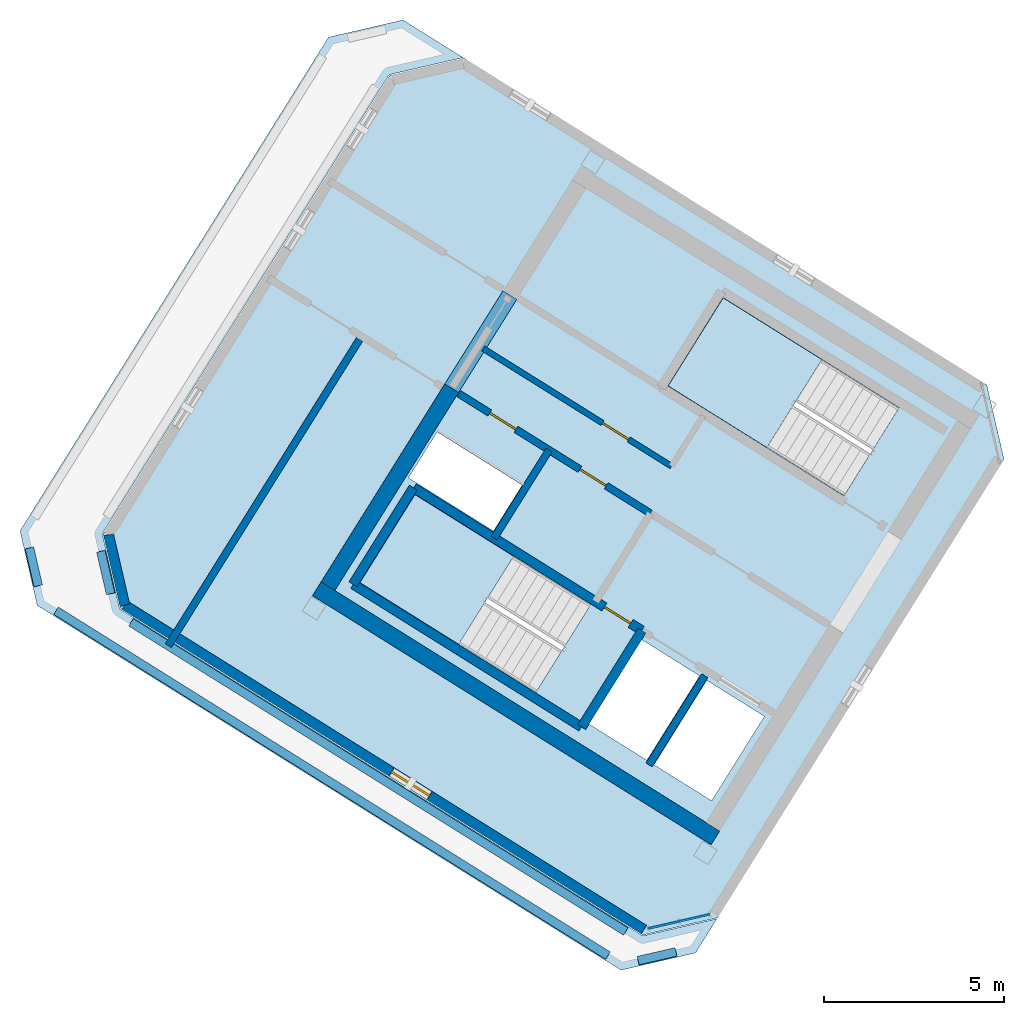
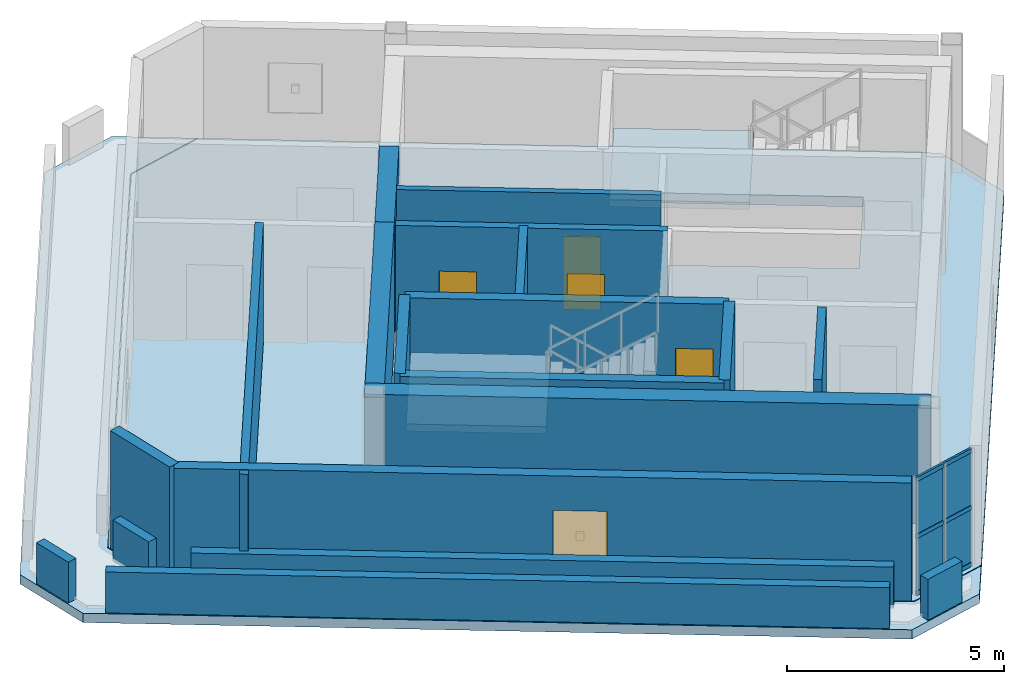
# One storey, part 3 of 7: 18 walls, 6 members, 4 doors, 4 plates, 4 slabs, 1 beam, 1 window, 5 openings, 3 elements without a shape of their own.
"""IFC4 building model written with IfcOpenShell, lengths in metres."""

from ifc_helpers import new_model, si_unit, direction, frame, frame_2d, origin, origin_2d, place, context, subcontext, project, spatial, polyline, rectangle, hollow_rectangle, outline, extrude, source, transform, mapped, material, layer, layer_set, material_profile, profile_set, type_object, element, fill, aggregate, save


model = new_model("IFC4")

# Units and contexts
model_context = context("Model", 3, precision=1e-05, world=origin(), true_north=direction((0.0, 1.0)))
body_context = subcontext(model_context, "Body", "Model", "MODEL_VIEW")
ifc_project = project(units=[si_unit("LENGTHUNIT", "METRE"), si_unit("AREAUNIT", "SQUARE_METRE"), si_unit("VOLUMEUNIT", "CUBIC_METRE"), si_unit("PLANEANGLEUNIT", "RADIAN"), si_unit("MASSUNIT", "GRAM", prefix="KILO")], contexts=[model_context])

# Site, building, storey
site_placement = place(None, origin())
site = spatial("IfcSite", under=ifc_project, at=site_placement, CompositionType="ELEMENT")
building_placement = place(site_placement, origin())
building = spatial("IfcBuilding", under=site, at=building_placement, Name="Tlacorven Tower", CompositionType="ELEMENT")
storey_placement = place(building_placement, frame((0.0, 0.0, 309.60009765625)))
storey = spatial("IfcBuildingStorey", under=building, at=storey_placement, Name="L79", CompositionType="ELEMENT", Elevation=309.60009765625)

# Beam
ifc_material_1 = material(Name="Concrete C60/75", Category="concrete")
ifc_material_profile_1 = material_profile(ifc_material_1, rectangle(XDim=0.449951171875, YDim=0.699951171875, at=origin_2d()), Name="RC 450X700")
ifc_profile_set_1 = profile_set([ifc_material_profile_1], Name="Concrete C60/75")
beam_type = type_object("IfcBeamType", Name="BM-LNT-700", PredefinedType="LINTEL", material=ifc_profile_set_1)
shared_shape_1 = source(origin(), body_context, "Body", "SweptSolid", [
    extrude(rectangle(XDim=0.449951171875, YDim=0.699951171875, at=origin_2d()), origin(), (0.0, 0.0, 1.0), 3.0498046875),
])
beam_placement = place(storey_placement, frame((27.622802734375, 27.562255859375, 2.969970703125), z_axis=(-0.529926983584, -0.848043272522, 0.0), x_axis=(0.848043272522, -0.529926983584, 0.0)))
element("IfcBeam", 1, at=beam_placement, inside=storey, type_object=beam_type, Name="L79 W core coupling lintel beam E2", PredefinedType="LINTEL", context=body_context, shape_type="MappedRepresentation", body=[
    mapped(shared_shape_1, transform((0.0, 0.0, 0.0), scale=1.0)),
])

# Curtain wall, members
ifc_material_2 = material(Name="Dark solar low-E double glazing in aluminium frame", Category="aluminium")
curtain_wall_type = type_object("IfcCurtainWallType", Name="CW-CRN-LANTERN", PredefinedType="USERDEFINED", material=ifc_material_2)
curtain_wall_placement = place(storey_placement, origin())
curtain_wall = element("IfcCurtainWall", 2, at=curtain_wall_placement, inside=storey, type_object=curtain_wall_type, Name="L79 CW-CRN-LANTERN Curtain Wall 363", ObjectType="UNITISED CURTAIN WALL", PredefinedType="USERDEFINED")
ifc_material_3 = material(Name="Aluminium 6063-T6 anodised", Category="aluminium")
ifc_material_profile_2 = material_profile(ifc_material_3, hollow_rectangle(XDim=0.054931640625, YDim=0.1201171875, WallThickness=0.00341796875, at=origin_2d()), Name="ALU TRANSOM 55X120")
ifc_profile_set_2 = profile_set([ifc_material_profile_2], Name="Aluminium 6063-T6 anodised")
member_type = type_object("IfcMemberType", Name="CWT-03", PredefinedType="USERDEFINED", material=ifc_profile_set_2)
shared_shape_2 = source(origin(), body_context, "Body", "SweptSolid", [
    extrude(hollow_rectangle(XDim=0.054931640625, YDim=0.1201171875, WallThickness=0.00341796875, at=origin_2d()), origin(), (0.0, 0.0, 1.0), 0.84423828125),
])
member_1_placement = place(storey_placement, frame((33.155029296875, 10.376220703125, 0.059814453125), z_axis=(-0.974357063896, -0.225007359962, 0.0), x_axis=(0.225007359962, -0.974357063896, 0.0)))
member_1 = element("IfcMember", 3, at=member_1_placement, type_object=member_type, Name="CW-L79-363 Transom 1", ObjectType="TRANSOM", PredefinedType="USERDEFINED", context=body_context, shape_type="MappedRepresentation", body=[
    mapped(shared_shape_2, transform((0.0, 0.0, 0.0), scale=1.0)),
])
member_2_placement = place(storey_placement, frame((33.155029296875, 10.376220703125, 1.659912109375), z_axis=(-0.974357063896, -0.225007359962, 0.0), x_axis=(0.225007359962, -0.974357063896, 0.0)))
member_2 = element("IfcMember", 4, at=member_2_placement, type_object=member_type, Name="CW-L79-363 Transom 2", ObjectType="TRANSOM", PredefinedType="USERDEFINED", context=body_context, shape_type="MappedRepresentation", body=[
    mapped(shared_shape_2, transform((0.0, 0.0, 0.0), scale=1.0)),
])
member_3_placement = place(storey_placement, frame((33.155029296875, 10.376220703125, 3.260009765625), z_axis=(-0.974357063896, -0.225007359962, 0.0), x_axis=(0.225007359962, -0.974357063896, 0.0)))
member_3 = element("IfcMember", 5, at=member_3_placement, type_object=member_type, Name="CW-L79-363 Transom 3", ObjectType="TRANSOM", PredefinedType="USERDEFINED", context=body_context, shape_type="MappedRepresentation", body=[
    mapped(shared_shape_2, transform((0.0, 0.0, 0.0), scale=1.0)),
])
member_4_placement = place(storey_placement, frame((32.30224609375, 10.17919921875, 0.059814453125), z_axis=(-0.974357063896, -0.225007359962, 0.0), x_axis=(0.225007359962, -0.974357063896, 0.0)))
member_4 = element("IfcMember", 6, at=member_4_placement, type_object=member_type, Name="CW-L79-363 Transom 4", ObjectType="TRANSOM", PredefinedType="USERDEFINED", context=body_context, shape_type="MappedRepresentation", body=[
    mapped(shared_shape_2, transform((0.0, 0.0, 0.0), scale=1.0)),
])
member_5_placement = place(storey_placement, frame((32.30224609375, 10.17919921875, 1.659912109375), z_axis=(-0.974357063896, -0.225007359962, 0.0), x_axis=(0.225007359962, -0.974357063896, 0.0)))
member_5 = element("IfcMember", 7, at=member_5_placement, type_object=member_type, Name="CW-L79-363 Transom 5", ObjectType="TRANSOM", PredefinedType="USERDEFINED", context=body_context, shape_type="MappedRepresentation", body=[
    mapped(shared_shape_2, transform((0.0, 0.0, 0.0), scale=1.0)),
])
member_6_placement = place(storey_placement, frame((32.30224609375, 10.17919921875, 3.260009765625), z_axis=(-0.974357063896, -0.225007359962, 0.0), x_axis=(0.225007359962, -0.974357063896, 0.0)))
member_6 = element("IfcMember", 8, at=member_6_placement, type_object=member_type, Name="CW-L79-363 Transom 6", ObjectType="TRANSOM", PredefinedType="USERDEFINED", context=body_context, shape_type="MappedRepresentation", body=[
    mapped(shared_shape_2, transform((0.0, 0.0, 0.0), scale=1.0)),
])

# Stair, slab
ifc_material_4 = material(Name="Concrete C40/50", Category="concrete")
stair_type = type_object("IfcStairType", Name="ST-CORE-DLG", PredefinedType="HALF_TURN_STAIR", material=ifc_material_4)
stair_1_placement = place(storey_placement, origin())
stair_1 = element("IfcStair", 9, at=stair_1_placement, inside=storey, type_object=stair_type, Name="L79 Protected Exit Stair West 1", PredefinedType="HALF_TURN_STAIR")
ifc_layer_1 = layer(ifc_material_4, 0.199951171875)
ifc_layer_set_1 = layer_set([ifc_layer_1], Name="Concrete C40/50")
slab_type_1 = type_object("IfcSlabType", Name="SL-LND-200", PredefinedType="LANDING", material=ifc_layer_set_1)
slab_1_placement = place(storey_placement, frame((0.0, 0.0, 1.599853515625)))
slab_1 = element("IfcSlab", 10, at=slab_1_placement, type_object=slab_type_1, Name="ST-W1 landing 1", PredefinedType="LANDING", context=body_context, shape_type="SweptSolid", body=[
    extrude(outline(polyline([(27.728515625, 20.315185546875), (24.9892578125, 22.02685546875), (23.463134765625, 19.58447265625), (26.2021484375, 17.872802734375), (27.728515625, 20.315185546875)])), origin(), (0.0, 0.0, 1.0), 0.199951171875),
])
aggregate(stair_1, [slab_1])

stair_2_placement = place(storey_placement, origin())
stair_2 = element("IfcStair", 11, at=stair_2_placement, inside=storey, type_object=stair_type, Name="L79 Protected Exit Stair West 2", PredefinedType="HALF_TURN_STAIR")
slab_2_placement = place(storey_placement, frame((0.0, 0.0, 1.599853515625)))
slab_2 = element("IfcSlab", 12, at=slab_2_placement, type_object=slab_type_1, Name="ST-W2 landing 1", PredefinedType="LANDING", context=body_context, shape_type="SweptSolid", body=[
    extrude(outline(polyline([(36.280029296875, 25.772705078125), (33.540771484375, 27.484375), (32.0146484375, 25.0419921875), (34.75390625, 23.33056640625), (36.280029296875, 25.772705078125)])), origin(), (0.0, 0.0, 1.0), 0.199951171875),
])
aggregate(stair_2, [slab_2])

# Slabs
ifc_layer_2 = layer(ifc_material_4, 0.260009765625)
ifc_layer_set_2 = layer_set([ifc_layer_2], Name="Concrete C40/50")
slab_type_2 = type_object("IfcSlabType", Name="SL-ROF-260", PredefinedType="ROOF", material=ifc_layer_set_2)
slab_3_placement = place(storey_placement, frame((0.0, 0.0, -0.260009765625)))
element("IfcSlab", 13, at=slab_3_placement, inside=storey, type_object=slab_type_2, Name="L79 Stepped Crown Terrace Roof Cap 1", PredefinedType="ROOF", context=body_context, shape_type="SweptSolid", body=[
    extrude(outline(polyline([(32.77294921875, 9.3095703125), (30.7060546875, 8.83251953125), (14.50830078125, 18.953857421875), (14.031005859375, 21.02099609375), (22.58935546875, 34.716796875), (24.65625, 35.194091796875), (26.328369140625, 34.149169921875), (24.28076171875, 33.676513671875), (24.279052734375, 33.676025390625), (24.277099609375, 33.67529296875), (24.275390625, 33.67431640625), (24.273681640625, 33.67333984375), (24.272216796875, 33.672119140625), (24.270751953125, 33.670654296875), (24.26953125, 33.669189453125), (24.268310546875, 33.667724609375), (16.319580078125, 20.947021484375), (16.318603515625, 20.945068359375), (16.31787109375, 20.943359375), (16.317138671875, 20.94140625), (16.31689453125, 20.939697265625), (16.316650390625, 20.937744140625), (16.316650390625, 20.935791015625), (16.316650390625, 20.933837890625), (16.317138671875, 20.931884765625), (16.794189453125, 18.86474609375), (16.794921875, 18.863037109375), (16.79541015625, 18.861083984375), (16.79638671875, 18.859375), (16.79736328125, 18.857666015625), (16.798583984375, 18.856201171875), (16.800048828125, 18.854736328125), (16.801513671875, 18.853515625), (16.80322265625, 18.852294921875), (31.3046875, 9.790771484375), (31.306396484375, 9.789794921875), (31.308349609375, 9.7890625), (31.31005859375, 9.788330078125), (31.31201171875, 9.7880859375), (31.31396484375, 9.787841796875), (31.31591796875, 9.787841796875), (31.31787109375, 9.787841796875), (31.31982421875, 9.788330078125), (33.367431640625, 10.260986328125), (32.77294921875, 9.3095703125)])), origin(), (0.0, 0.0, 1.0), 0.260009765625),
])
ifc_material_5 = material(Name="Concrete C50/60", Category="concrete")
ifc_layer_3 = layer(ifc_material_5, 0.280029296875)
ifc_layer_set_3 = layer_set([ifc_layer_3], Name="Concrete C50/60")
slab_type_3 = type_object("IfcSlabType", Name="SL-WND-280", PredefinedType="FLOOR", material=ifc_layer_set_3)
slab_4_placement = place(storey_placement, frame((0.0, 0.0, -0.280029296875)))
element("IfcSlab", 14, at=slab_4_placement, inside=storey, type_object=slab_type_3, Name="L79 Stepped Crown Tier 4 Floor Slab", PredefinedType="FLOOR", context=body_context, shape_type="SweptSolid", body=[
    extrude(outline(polyline([(40.85400390625, 25.072509765625), (26.352294921875, 34.13427734375), (24.285400390625, 33.656982421875), (16.336669921875, 20.936279296875), (16.813720703125, 18.869384765625), (31.3154296875, 9.8076171875), (33.38232421875, 10.284912109375), (41.3310546875, 23.005615234375), (40.85400390625, 25.072509765625)]), holes=[polyline([(29.865478515625, 18.979736328125), (24.9892578125, 22.02685546875), (23.463134765625, 19.58447265625), (28.33935546875, 16.537353515625), (29.865478515625, 18.979736328125)]), polyline([(38.4169921875, 24.4375), (33.540771484375, 27.484375), (32.0146484375, 25.0419921875), (36.890869140625, 21.9951171875), (38.4169921875, 24.4375)]), polyline([(34.682373046875, 15.87548828125), (33.088134765625, 16.871826171875), (31.62548828125, 14.531005859375), (33.2197265625, 13.534912109375), (34.682373046875, 15.87548828125)]), polyline([(32.884521484375, 16.9990234375), (31.2392578125, 18.02685546875), (29.77685546875, 15.686279296875), (31.421875, 14.658203125), (32.884521484375, 16.9990234375)]), polyline([(27.96142578125, 22.2919921875), (25.603759765625, 23.76513671875), (24.80908203125, 22.4931640625), (27.16650390625, 21.02001953125), (27.96142578125, 22.2919921875)])]), origin(), (0.0, 0.0, 1.0), 0.280029296875),
])

# Plate
ifc_material_6 = material(Name="Crown dark solar fritted low-E glazing", Category="glass")
ifc_layer_4 = layer(ifc_material_6, 0.02392578125)
ifc_layer_set_4 = layer_set([ifc_layer_4], Name="Crown dark solar fritted low-E glazing")
plate_type = type_object("IfcPlateType", Name="CWP-04", PredefinedType="CURTAIN_PANEL", material=ifc_layer_set_4)
shared_shape_3 = source(origin(), body_context, "Body", "SweptSolid", [
    extrude(rectangle(XDim=0.838134765625, YDim=0.02392578125, at=origin_2d()), origin(), (0.0, 0.0, 1.0), 1.55810546875),
])
plate_1_placement = place(storey_placement, frame((32.74365234375, 10.28125, 0.05078125), z_axis=(0.0, 0.0, 1.0), x_axis=(-0.97437037555, -0.22494970827, 0.0)))
plate_1 = element("IfcPlate", 15, at=plate_1_placement, type_object=plate_type, Name="CW-L79-363 Glazing Panel 1", PredefinedType="CURTAIN_PANEL", context=body_context, shape_type="MappedRepresentation", body=[
    mapped(shared_shape_3, transform((0.0, 0.0, 0.0), scale=1.0)),
])

plate_2_placement = place(storey_placement, frame((32.74365234375, 10.28125, 1.7109375), z_axis=(0.0, 0.0, 1.0), x_axis=(-0.97437037555, -0.22494970827, 0.0)))
plate_2 = element("IfcPlate", 16, at=plate_2_placement, type_object=plate_type, Name="CW-L79-363 Glazing Panel 2", PredefinedType="CURTAIN_PANEL", context=body_context, shape_type="MappedRepresentation", body=[
    mapped(shared_shape_3, transform((0.0, 0.0, 0.0), scale=1.0)),
])

plate_3_placement = place(storey_placement, frame((31.890869140625, 10.084228515625, 0.05078125), z_axis=(0.0, 0.0, 1.0), x_axis=(-0.97437037555, -0.22494970827, 0.0)))
plate_3 = element("IfcPlate", 17, at=plate_3_placement, type_object=plate_type, Name="CW-L79-363 Glazing Panel 3", PredefinedType="CURTAIN_PANEL", context=body_context, shape_type="MappedRepresentation", body=[
    mapped(shared_shape_3, transform((0.0, 0.0, 0.0), scale=1.0)),
])

plate_4_placement = place(storey_placement, frame((31.890869140625, 10.084228515625, 1.7109375), z_axis=(0.0, 0.0, 1.0), x_axis=(-0.97437037555, -0.22494970827, 0.0)))
plate_4 = element("IfcPlate", 18, at=plate_4_placement, type_object=plate_type, Name="CW-L79-363 Glazing Panel 4", PredefinedType="CURTAIN_PANEL", context=body_context, shape_type="MappedRepresentation", body=[
    mapped(shared_shape_3, transform((0.0, 0.0, 0.0), scale=1.0)),
])

aggregate(curtain_wall, [member_1, member_2, member_3, plate_1, plate_2, member_4, member_5, member_6, plate_3, plate_4])

# Walls
ifc_layer_5 = layer(ifc_material_5, 0.449951171875)
ifc_layer_set_5 = layer_set([ifc_layer_5], Name="Concrete C50/60")
wall_type_1 = type_object("IfcWallType", Name="WL-COR-450", PredefinedType="SHEAR", material=ifc_layer_set_5)
wall_1_placement = place(storey_placement, frame((33.32373046875, 12.5029296875, 0.0), z_axis=(0.0, 0.0, 1.0), x_axis=(-0.848043529849, 0.529926571782, 0.0)))
element("IfcWall", 19, at=wall_1_placement, inside=storey, type_object=wall_type_1, Name="L79 W core shear wall S2", PredefinedType="SHEAR", context=body_context, shape_type="SweptSolid", body=[
    extrude(rectangle(XDim=13.039794921875, YDim=0.449951171875, at=frame_2d((6.52001953125, 0.0))), origin(), (0.0, 0.0, 1.0), 3.31982421875),
])
wall_2_placement = place(storey_placement, frame((26.006591796875, 24.975830078125, 0.0), z_axis=(0.0, 0.0, 1.0), x_axis=(-0.529931155655, -0.848040665456, 0.0)))
element("IfcWall", 20, at=wall_2_placement, inside=storey, type_object=wall_type_1, Name="L79 W core end wall E2.2", PredefinedType="SHEAR", context=body_context, shape_type="SweptSolid", body=[
    extrude(rectangle(XDim=6.47509765625, YDim=0.449951171875, at=frame_2d((3.237548828125, 0.0))), origin(), (0.0, 0.0, 1.0), 3.31982421875),
])

# Wall, opening, door
ifc_material_7 = material(Name="Gypsum plasterboard acoustic partition", Category="gypsum")
ifc_layer_6 = layer(ifc_material_7, 0.159912109375)
ifc_layer_set_6 = layer_set([ifc_layer_6], Name="Gypsum plasterboard acoustic partition")
wall_type_2 = type_object("IfcWallType", Name="WL-DEM-160", PredefinedType="PARTITIONING", material=ifc_layer_set_6)
wall_3_placement = place(storey_placement, frame((32.108154296875, 22.81396484375, 0.0), z_axis=(0.0, 0.0, 1.0), x_axis=(-0.848047283855, 0.529920564185, 0.0)))
wall_3 = element("IfcWall", 21, at=wall_3_placement, inside=storey, type_object=wall_type_2, Name="L79 partition 11", PredefinedType="PARTITIONING", context=body_context, shape_type="SweptSolid", body=[
    extrude(rectangle(XDim=6.16015625, YDim=0.159912109375, at=frame_2d((3.080078125, 0.0))), origin(), (0.0, 0.0, 1.0), 3.309814453125),
])
opening_1_placement = place(wall_3_placement, frame((1.39990234375, 0.0, 0.0)))
opening_1 = element("IfcOpeningElement", 22, at=opening_1_placement, cuts=wall_3, Name="Opening D19", PredefinedType="OPENING", context=body_context, shape_type="SweptSolid", body=[
    extrude(rectangle(XDim=0.860107421875, YDim=2.050048828125, at=frame_2d((0.43017578125, 1.02490234375))), frame((0.0, 0.08984375, 0.0), z_axis=(0.0, -1.0, 0.0), x_axis=(1.0, 0.0, 0.0)), (0.0, 0.0, 1.0), 0.179931640625),
])
ifc_material_8 = material(Name="Fire-rated steel door assembly", Category="steel")
door_type = type_object("IfcDoorType", Name="DR-RSR-FD60-0860", OperationType="NOTDEFINED", PredefinedType="DOOR", material=ifc_material_8)
shared_shape_4 = source(origin(), body_context, "Body", "SweptSolid", [
    extrude(rectangle(XDim=0.860107421875, YDim=2.050048828125, at=frame_2d((0.43017578125, 1.02490234375))), frame((0.0, 0.02490234375, 0.0), z_axis=(0.0, -1.0, 0.0), x_axis=(1.0, 0.0, 0.0)), (0.0, 0.0, 1.0), 0.050048828125),
])
door_1_placement = place(opening_1_placement, origin())
door_1 = element("IfcDoor", 23, at=door_1_placement, inside=storey, type_object=door_type, Name="L79 Freed Core Store Door", OperationType="SINGLE_SWING_RIGHT", OverallHeight=2.050048828125, OverallWidth=0.860107421875, PredefinedType="DOOR", context=body_context, shape_type="MappedRepresentation", body=[
    mapped(shared_shape_4, transform((0.0, 0.0, 0.0), scale=1.0)),
])
fill(opening_1, door_1)

# Wall, opening, window
ifc_material_9 = material(Name="Precast concrete C45/55", Category="concrete")
ifc_layer_7 = layer(ifc_material_9, 0.280029296875)
ifc_layer_set_7 = layer_set([ifc_layer_7], Name="Precast concrete C45/55")
wall_type_3 = type_object("IfcWallType", Name="WL-EXT-280", PredefinedType="STANDARD", material=ifc_layer_set_7)
wall_4_placement = place(storey_placement, frame((31.34033203125, 9.957275390625, 0.0), z_axis=(0.0, 0.0, 1.0), x_axis=(-0.848053214258, 0.52991107347, 0.0)))
wall_4 = element("IfcWall", 24, at=wall_4_placement, inside=storey, type_object=wall_type_3, Name="L79 Masonry-Frame Recessed Facade Wall 2", PredefinedType="STANDARD", context=body_context, shape_type="SweptSolid", body=[
    extrude(rectangle(XDim=16.98388671875, YDim=0.280029296875, at=frame_2d((8.491943359375, 0.0))), origin(), (0.0, 0.0, 1.0), 3.31982421875),
])
opening_2_placement = place(wall_4_placement, frame((7.008544921875, 0.0, 0.949951171875)))
opening_2 = element("IfcOpeningElement", 25, at=opening_2_placement, cuts=wall_4, Name="Opening WN20", PredefinedType="OPENING", context=body_context, shape_type="SweptSolid", body=[
    extrude(rectangle(XDim=1.25, YDim=1.39990234375, at=frame_2d((0.625, 0.699951171875))), frame((0.0, 0.14990234375, 0.0), z_axis=(0.0, -1.0, 0.0), x_axis=(1.0, 0.0, 0.0)), (0.0, 0.0, 1.0), 0.300048828125),
])
ifc_material_10 = material(Name="Dark solar low-E double glazing in anodised aluminium frame", Category="aluminium")
window_type = type_object("IfcWindowType", Name="WN-CRN-1250X1500", PartitioningType="SINGLE_PANEL", PredefinedType="WINDOW", material=ifc_material_10)
shared_shape_5 = source(origin(), body_context, "Body", "SweptSolid", [
    extrude(rectangle(XDim=1.25, YDim=1.39990234375, at=frame_2d((0.625, 0.699951171875))), frame((0.0, 0.030029296875, 0.0), z_axis=(0.0, -1.0, 0.0), x_axis=(1.0, 0.0, 0.0)), (0.0, 0.0, 1.0), 0.06005859375),
])
window_placement = place(opening_2_placement, origin())
window = element("IfcWindow", 26, at=window_placement, inside=storey, type_object=window_type, Name="L79 Acoustic Plant Facade Window 2.1", OverallHeight=1.39990234375, OverallWidth=1.25, PartitioningType="SINGLE_PANEL", PredefinedType="WINDOW", context=body_context, shape_type="MappedRepresentation", body=[
    mapped(shared_shape_5, transform((0.0, 0.0, 0.0), scale=1.0)),
])
fill(opening_2, window)

# Walls
wall_5_placement = place(storey_placement, frame((16.93701171875, 18.957275390625, 0.0), z_axis=(0.0, 0.0, 1.0), x_axis=(-0.224850615691, 0.974393247423, 0.0)))
element("IfcWall", 27, at=wall_5_placement, inside=storey, type_object=wall_type_3, Name="L79 Masonry-Frame Recessed Facade Wall 3", PredefinedType="STANDARD", context=body_context, shape_type="SweptSolid", body=[
    extrude(rectangle(XDim=2.00537109375, YDim=0.280029296875, at=frame_2d((1.002685546875, 0.0))), origin(), (0.0, 0.0, 1.0), 3.31982421875),
])
ifc_layer_8 = layer(ifc_material_9, 0.239990234375)
ifc_layer_set_8 = layer_set([ifc_layer_8], Name="Precast concrete C45/55")
wall_type_4 = type_object("IfcWallType", Name="WL-PAR-240", PredefinedType="PARAPET", material=ifc_layer_set_8)
wall_6_placement = place(storey_placement, frame((32.23046875, 9.33837890625, 0.0), z_axis=(0.0, 0.0, 1.0), x_axis=(-0.974395015602, -0.224842953123, 0.0)))
element("IfcWall", 28, at=wall_6_placement, inside=storey, type_object=wall_type_4, Name="L79 Stepped Crown Terrace Parapet 1 1", PredefinedType="PARAPET", context=body_context, shape_type="SweptSolid", body=[
    extrude(rectangle(XDim=1.0771484375, YDim=0.239990234375, at=frame_2d((0.53857421875, 0.0))), origin(), (0.0, 0.0, 1.0), 1.14990234375),
])
wall_7_placement = place(storey_placement, frame((30.3427734375, 9.236328125, 0.0), z_axis=(0.0, 0.0, 1.0), x_axis=(-0.848049195283, 0.529917505259, 0.0)))
element("IfcWall", 29, at=wall_7_placement, inside=storey, type_object=wall_type_4, Name="L79 Stepped Crown Terrace Parapet 1 2", PredefinedType="PARAPET", context=body_context, shape_type="SweptSolid", body=[
    extrude(rectangle(XDim=18.055908203125, YDim=0.239990234375, at=frame_2d((9.02783203125, 0.0))), origin(), (0.0, 0.0, 1.0), 1.14990234375),
])
wall_8_placement = place(storey_placement, frame((14.536865234375, 19.496337890625, 0.0), z_axis=(0.0, 0.0, 1.0), x_axis=(-0.224842953123, 0.974395015602, 0.0)))
element("IfcWall", 30, at=wall_8_placement, inside=storey, type_object=wall_type_4, Name="L79 Stepped Crown Terrace Parapet 1 3", PredefinedType="PARAPET", context=body_context, shape_type="SweptSolid", body=[
    extrude(rectangle(XDim=1.0771484375, YDim=0.239990234375, at=frame_2d((0.53857421875, 0.0))), origin(), (0.0, 0.0, 1.0), 1.14990234375),
])
wall_9_placement = place(storey_placement, frame((16.273681640625, 20.453369140625, 0.0), z_axis=(0.0, 0.0, 1.0), x_axis=(0.224815250156, -0.974401407684, 0.0)))
element("IfcWall", 31, at=wall_9_placement, inside=storey, type_object=wall_type_4, Name="L79 Stepped Crown Terrace Parapet 1 7", PredefinedType="PARAPET", context=body_context, shape_type="SweptSolid", body=[
    extrude(rectangle(XDim=1.208740234375, YDim=0.239990234375, at=frame_2d((0.6044921875, 0.0))), origin(), (0.0, 0.0, 1.0), 1.14990234375),
])
wall_10_placement = place(storey_placement, frame((17.110595703125, 18.4833984375, 0.0), z_axis=(0.0, 0.0, 1.0), x_axis=(0.848046596823, -0.529921663661, 0.0)))
element("IfcWall", 32, at=wall_10_placement, inside=storey, type_object=wall_type_4, Name="L79 Stepped Crown Terrace Parapet 1 8", PredefinedType="PARAPET", context=body_context, shape_type="SweptSolid", body=[
    extrude(rectangle(XDim=16.1875, YDim=0.239990234375, at=frame_2d((8.09375, 0.0))), origin(), (0.0, 0.0, 1.0), 1.14990234375),
])
ifc_layer_9 = layer(ifc_material_4, 0.199951171875)
ifc_layer_set_9 = layer_set([ifc_layer_9], Name="Concrete C40/50")
wall_type_5 = type_object("IfcWallType", Name="WL-SHF-200", PredefinedType="STANDARD", material=ifc_layer_set_9)
wall_11_placement = place(storey_placement, frame((33.02880859375, 17.003173828125, 0.0), z_axis=(0.0, 0.0, 1.0), x_axis=(-0.529916267533, -0.848049968695, 0.0)))
element("IfcWall", 33, at=wall_11_placement, inside=storey, type_object=wall_type_5, Name="L79 partition 13", PredefinedType="STANDARD", context=body_context, shape_type="SweptSolid", body=[
    extrude(rectangle(XDim=2.919921875, YDim=0.199951171875, at=frame_2d((1.4599609375, 0.0))), origin(), (0.0, 0.0, 1.0), 3.309814453125),
])
wall_12_placement = place(storey_placement, frame((28.709716796875, 23.26318359375, 0.0), z_axis=(0.0, 0.0, 1.0), x_axis=(-0.529907497854, -0.848055448493, 0.0)))
element("IfcWall", 34, at=wall_12_placement, inside=storey, type_object=wall_type_5, Name="L79 partition 15", PredefinedType="STANDARD", context=body_context, shape_type="SweptSolid", body=[
    extrude(rectangle(XDim=2.8798828125, YDim=0.199951171875, at=frame_2d((1.43994140625, 0.0))), origin(), (0.0, 0.0, 1.0), 3.309814453125),
])

# Wall, openings, doors
wall_13_placement = place(storey_placement, frame((31.525146484375, 21.503662109375, 0.0), z_axis=(0.0, 0.0, 1.0), x_axis=(-0.848042066329, 0.529928913853, 0.0)))
wall_13 = element("IfcWall", 35, at=wall_13_placement, inside=storey, type_object=wall_type_5, Name="L79 Core W North Service Wall", PredefinedType="STANDARD", context=body_context, shape_type="SweptSolid", body=[
    extrude(rectangle(XDim=6.267822265625, YDim=0.199951171875, at=frame_2d((3.1337890625, 0.0))), origin(), (0.0, 0.0, 1.0), 3.309814453125),
])
opening_3_placement = place(wall_13_placement, frame((4.39990234375, 0.0, 0.0)))
opening_3 = element("IfcOpeningElement", 36, at=opening_3_placement, cuts=wall_13, Name="Opening D19", PredefinedType="OPENING", context=body_context, shape_type="SweptSolid", body=[
    extrude(rectangle(XDim=0.860107421875, YDim=2.050048828125, at=frame_2d((0.43017578125, 1.02490234375))), frame((0.0, 0.10986328125, 0.0), z_axis=(0.0, -1.0, 0.0), x_axis=(1.0, 0.0, 0.0)), (0.0, 0.0, 1.0), 0.219970703125),
])
opening_4_placement = place(wall_13_placement, frame((1.449951171875, 0.0, 0.0)))
opening_4 = element("IfcOpeningElement", 37, at=opening_4_placement, cuts=wall_13, Name="Opening D19", PredefinedType="OPENING", context=body_context, shape_type="SweptSolid", body=[
    extrude(rectangle(XDim=0.860107421875, YDim=2.050048828125, at=frame_2d((0.43017578125, 1.02490234375))), frame((0.0, 0.10986328125, 0.0), z_axis=(0.0, -1.0, 0.0), x_axis=(1.0, 0.0, 0.0)), (0.0, 0.0, 1.0), 0.219970703125),
])
door_2_placement = place(opening_3_placement, frame((0.860107421875, 0.0, 0.0), z_axis=(0.0, 0.0, 1.0), x_axis=(-1.0, 0.0, 0.0)))
door_2 = element("IfcDoor", 38, at=door_2_placement, inside=storey, type_object=door_type, Name="L79 Electrical Riser Access Door W", OperationType="SINGLE_SWING_LEFT", OverallHeight=2.050048828125, OverallWidth=0.860107421875, PredefinedType="DOOR", context=body_context, shape_type="MappedRepresentation", body=[
    mapped(shared_shape_4, transform((0.0, 0.0, 0.0), scale=1.0)),
])
fill(opening_3, door_2)
door_3_placement = place(opening_4_placement, frame((0.860107421875, 0.0, 0.0), z_axis=(0.0, 0.0, 1.0), x_axis=(-1.0, 0.0, 0.0)))
door_3 = element("IfcDoor", 39, at=door_3_placement, inside=storey, type_object=door_type, Name="L79 Housekeeping Linen Access Door W", OperationType="SINGLE_SWING_RIGHT", OverallHeight=2.050048828125, OverallWidth=0.860107421875, PredefinedType="DOOR", context=body_context, shape_type="MappedRepresentation", body=[
    mapped(shared_shape_4, transform((0.0, 0.0, 0.0), scale=1.0)),
])
fill(opening_4, door_3)

# Walls
wall_14_placement = place(storey_placement, frame((23.5068359375, 26.419921875, 0.0), z_axis=(0.0, 0.0, 1.0), x_axis=(-0.529918703348, -0.848048446636, 0.0)))
element("IfcWall", 40, at=wall_14_placement, inside=storey, type_object=wall_type_5, Name="L79 partition 19", PredefinedType="STANDARD", context=body_context, shape_type="SweptSolid", body=[
    extrude(rectangle(XDim=10.1201171875, YDim=0.199951171875, at=frame_2d((5.06005859375, 0.0))), origin(), (0.0, 0.0, 1.0), 3.309814453125),
])
ifc_layer_10 = layer(ifc_material_5, 0.260009765625)
ifc_layer_set_10 = layer_set([ifc_layer_10], Name="Concrete C50/60")
wall_type_6 = type_object("IfcWallType", Name="WL-STW-260", PredefinedType="SHEAR", material=ifc_layer_set_10)
wall_15_placement = place(storey_placement, frame((29.60498046875, 15.581298828125, 0.0), z_axis=(0.0, 0.0, 1.0), x_axis=(-0.848036911448, 0.529937163087, 0.0)))
element("IfcWall", 41, at=wall_15_placement, inside=storey, type_object=wall_type_6, Name="L79 Stair W1 Far Shear Wall", PredefinedType="SHEAR", context=body_context, shape_type="SweptSolid", body=[
    extrude(rectangle(XDim=7.4599609375, YDim=0.260009765625, at=frame_2d((3.72998046875, 0.0))), origin(), (0.0, 0.0, 1.0), 3.31982421875),
])

# Wall, opening, door
wall_16_placement = place(storey_placement, frame((31.279541015625, 18.26123046875, 0.0), z_axis=(0.0, 0.0, 1.0), x_axis=(-0.848051618787, 0.529913626805, 0.0)))
wall_16 = element("IfcWall", 42, at=wall_16_placement, inside=storey, type_object=wall_type_6, Name="L79 Stair W1 Lobby Shear Wall", PredefinedType="SHEAR", context=body_context, shape_type="SweptSolid", body=[
    extrude(rectangle(XDim=7.4599609375, YDim=0.260009765625, at=frame_2d((3.72998046875, 0.0))), origin(), (0.0, 0.0, 1.0), 3.31982421875),
])
opening_5_placement = place(wall_16_placement, frame((0.360107421875, 0.0, 0.0)))
opening_5 = element("IfcOpeningElement", 43, at=opening_5_placement, cuts=wall_16, Name="Opening D19", PredefinedType="OPENING", context=body_context, shape_type="SweptSolid", body=[
    extrude(rectangle(XDim=0.860107421875, YDim=2.050048828125, at=frame_2d((0.43017578125, 1.02490234375))), frame((0.0, 0.14013671875, 0.0), z_axis=(0.0, -1.0, 0.0), x_axis=(1.0, 0.0, 0.0)), (0.0, 0.0, 1.0), 0.280029296875),
])
door_4_placement = place(opening_5_placement, frame((0.860107421875, 0.0, 0.0), z_axis=(0.0, 0.0, 1.0), x_axis=(-1.0, 0.0, 0.0)))
door_4 = element("IfcDoor", 44, at=door_4_placement, inside=storey, type_object=door_type, Name="L79 Exit Stair W1 Fire Door", OperationType="SINGLE_SWING_LEFT", OverallHeight=2.050048828125, OverallWidth=0.860107421875, PredefinedType="DOOR", context=body_context, shape_type="MappedRepresentation", body=[
    mapped(shared_shape_4, transform((0.0, 0.0, 0.0), scale=1.0)),
])
fill(opening_5, door_4)

# Walls
wall_17_placement = place(storey_placement, frame((31.2880859375, 18.255859375, 0.0), z_axis=(0.0, 0.0, 1.0), x_axis=(-0.529943379326, -0.848033026897, 0.0)))
element("IfcWall", 45, at=wall_17_placement, inside=storey, type_object=wall_type_6, Name="L79 Stair W1 West Shear Wall", PredefinedType="SHEAR", context=body_context, shape_type="SweptSolid", body=[
    extrude(rectangle(XDim=3.159912109375, YDim=0.260009765625, at=frame_2d((1.580078125, 0.0))), origin(), (0.0, 0.0, 1.0), 3.31982421875),
])
wall_18_placement = place(storey_placement, frame((24.944580078125, 22.2197265625, 0.0), z_axis=(0.0, 0.0, 1.0), x_axis=(-0.529908658664, -0.84805472316, 0.0)))
element("IfcWall", 46, at=wall_18_placement, inside=storey, type_object=wall_type_6, Name="L79 Stair W1 East Shear Wall", PredefinedType="SHEAR", context=body_context, shape_type="SweptSolid", body=[
    extrude(rectangle(XDim=3.16015625, YDim=0.260009765625, at=frame_2d((1.580078125, 0.0))), origin(), (0.0, 0.0, 1.0), 3.31982421875),
])

save(model, "model.ifc")
